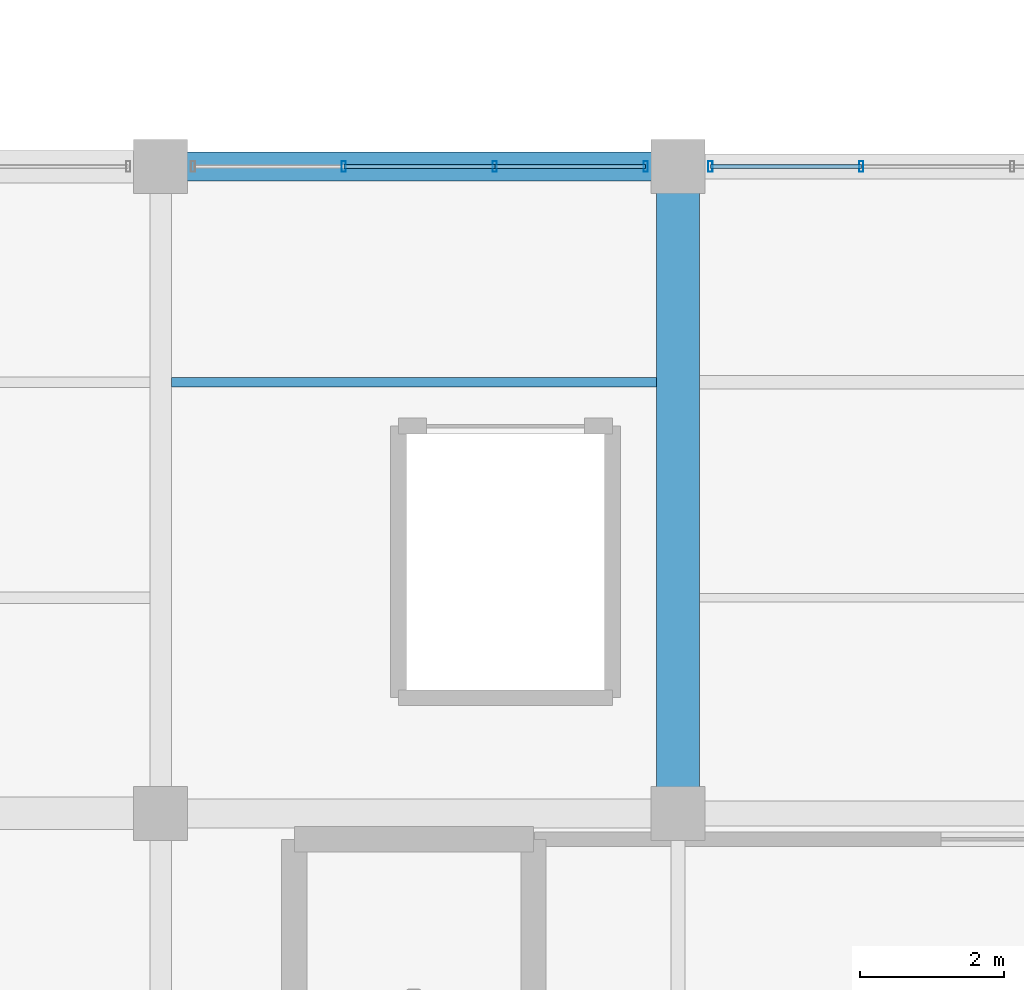
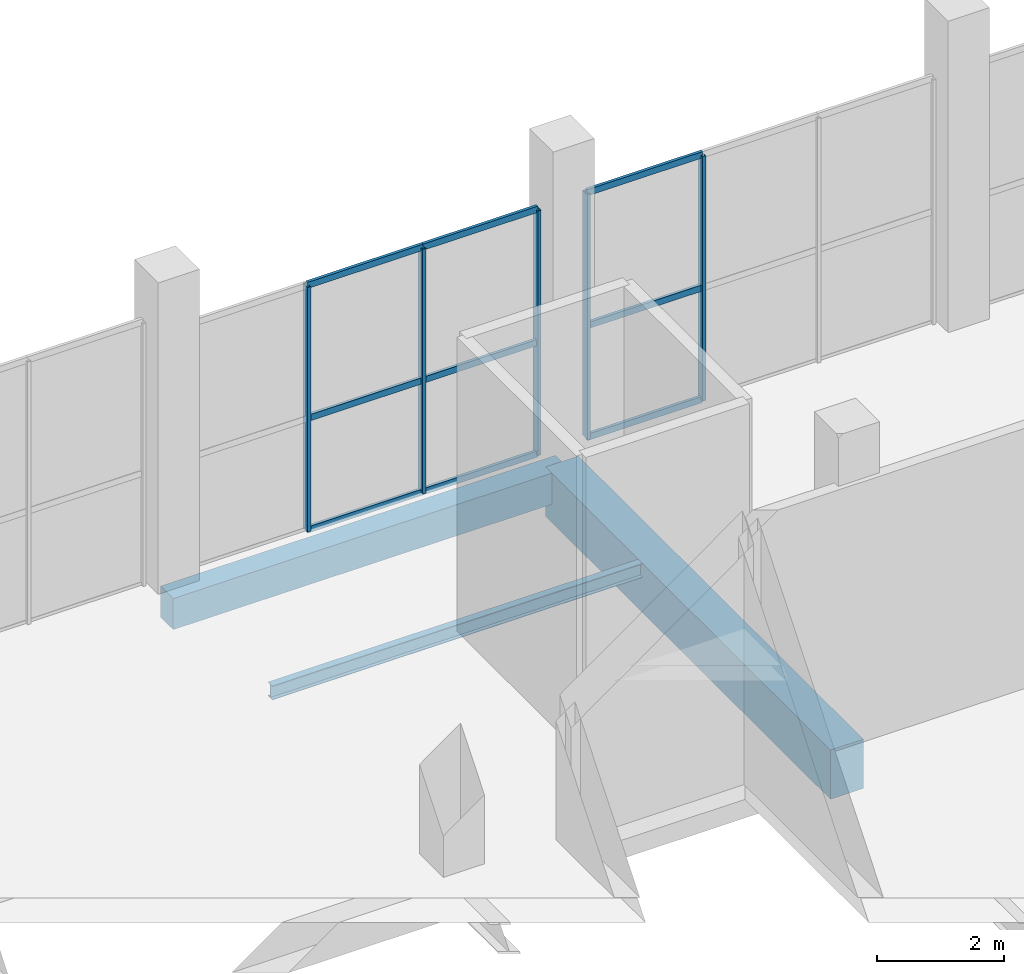
# One storey, part 102 of 144: 14 members, 3 beams, 2 elements without a shape of their own.
"""IFC4 building model written with IfcOpenShell, lengths in metres."""

from ifc_helpers import new_model, si_unit, direction, frame, origin, origin_2d, place, context, subcontext, project, spatial, rectangle, hollow_rectangle, i_section, extrude, material, layer, layer_set, material_profile, profile_set, type_object, element, aggregate, save


model = new_model("IFC4")

# Units and contexts
model_context = context("Model", 3, precision=1e-05, world=origin(), true_north=direction((0.0, 1.0)))
body_context = subcontext(model_context, "Body", "Model", "MODEL_VIEW")
ifc_project = project(units=[si_unit("LENGTHUNIT", "METRE"), si_unit("AREAUNIT", "SQUARE_METRE"), si_unit("VOLUMEUNIT", "CUBIC_METRE"), si_unit("PLANEANGLEUNIT", "RADIAN"), si_unit("MASSUNIT", "GRAM", prefix="KILO")], contexts=[model_context])

# Site, building, storey
site_placement = place(None, origin())
site = spatial("IfcSite", under=ifc_project, at=site_placement, CompositionType="ELEMENT")
building_placement = place(site_placement, origin())
building = spatial("IfcBuilding", under=site, at=building_placement, Name="Sundgate Opera House", CompositionType="ELEMENT")
storey_placement = place(building_placement, origin())
storey = spatial("IfcBuildingStorey", under=building, at=storey_placement, Name="L00", CompositionType="ELEMENT", Elevation=0.0)

# Beams
ifc_material_1 = material(Name="Steel S355J2", Category="steel")
ifc_material_profile_1 = material_profile(ifc_material_1, i_section(OverallWidth=0.135009765625, OverallDepth=0.27001953125, WebThickness=0.006591796875, FlangeThickness=0.01025390625, at=origin_2d()), Name="IPE 270")
ifc_profile_set_1 = profile_set([ifc_material_profile_1], Name="Steel S355J2")
beam_type_1 = type_object("IfcBeamType", Name="BM-JS-IPE270", PredefinedType="JOIST", material=ifc_profile_set_1)
beam_1_placement = place(storey_placement, frame((131.550048828125, 84.0, -0.455078125), z_axis=(1.0, 0.0, 0.0), x_axis=(0.0, 1.0, 0.0)))
element("IfcBeam", 1, at=beam_1_placement, inside=storey, type_object=beam_type_1, Name="L00 Secondary Floor Joist B0908", PredefinedType="JOIST", context=body_context, shape_type="SweptSolid", body=[
    extrude(i_section(OverallWidth=0.135009765625, OverallDepth=0.27001953125, WebThickness=0.006591796875, FlangeThickness=0.01025390625, at=origin_2d()), origin(), (0.0, 0.0, 1.0), 6.75),
])
ifc_material_2 = material(Name="Concrete C35/45", Category="concrete")
ifc_material_profile_2 = material_profile(ifc_material_2, rectangle(XDim=0.39990234375, YDim=0.60009765625, at=origin_2d()), Name="RC 400x600")
ifc_profile_set_2 = profile_set([ifc_material_profile_2], Name="Concrete C35/45")
beam_type_2 = type_object("IfcBeamType", Name="BM-RC-400x600", PredefinedType="BEAM", material=ifc_profile_set_2)
beam_2_placement = place(storey_placement, frame((131.39990234375, 87.0, -0.6201171875), z_axis=(1.0, 0.0, 0.0), x_axis=(0.0, 1.0, 0.0)))
element("IfcBeam", 2, at=beam_2_placement, inside=storey, type_object=beam_type_2, Name="L00 Primary E-W Girder B0518", PredefinedType="BEAM", context=body_context, shape_type="SweptSolid", body=[
    extrude(rectangle(XDim=0.39990234375, YDim=0.60009765625, at=origin_2d()), origin(), (0.0, 0.0, 1.0), 7.2001953125),
])
ifc_material_3 = material(Name="Concrete C40/50", Category="concrete")
ifc_material_profile_3 = material_profile(ifc_material_3, rectangle(XDim=0.60009765625, YDim=0.949951171875, at=origin_2d()), Name="RC 600x950")
ifc_profile_set_3 = profile_set([ifc_material_profile_3], Name="Concrete C40/50")
beam_type_3 = type_object("IfcBeamType", Name="BM-RC-600x950", PredefinedType="BEAM", material=ifc_profile_set_3)
beam_3_placement = place(storey_placement, frame((138.60009765625, 78.0, -0.794921875), z_axis=(0.0, 1.0, 0.0), x_axis=(-1.0, 0.0, 0.0)))
element("IfcBeam", 3, at=beam_3_placement, inside=storey, type_object=beam_type_3, Name="L00 Primary N-S Girder B0274", PredefinedType="BEAM", context=body_context, shape_type="SweptSolid", body=[
    extrude(rectangle(XDim=0.60009765625, YDim=0.949951171875, at=origin_2d()), origin(), (0.0, 0.0, 1.0), 9.0),
])

# Curtain wall, members
ifc_material_4 = material(Name="Anodized aluminium and low-iron glass", Category="aluminium")
ifc_layer = layer(ifc_material_4, 0.159912109375)
ifc_layer_set = layer_set([ifc_layer], Name="Anodized aluminium and low-iron glass")
curtain_wall_type = type_object("IfcCurtainWallType", Name="CW-STUDIO-DARK", PredefinedType="NOTDEFINED", material=ifc_layer_set)
curtain_wall_1_placement = place(storey_placement, origin())
curtain_wall_1 = element("IfcCurtainWall", 4, at=curtain_wall_1_placement, inside=storey, type_object=curtain_wall_type, Name="L00 Curtain Wall CW082", PredefinedType="NOTDEFINED")
ifc_material_5 = material(Name="Anodized aluminium EN AW-6063", Category="aluminium")
ifc_material_profile_4 = material_profile(ifc_material_5, hollow_rectangle(XDim=0.06005859375, YDim=0.14990234375, WallThickness=0.00390625, at=origin_2d()), Name="CWM 150x60x4")
ifc_profile_set_4 = profile_set([ifc_material_profile_4], Name="Anodized aluminium EN AW-6063")
member_type_1 = type_object("IfcMemberType", Name="CWM-ALU-150x60", PredefinedType="MULLION", material=ifc_profile_set_4)
member_1_placement = place(storey_placement, frame((133.949951171875, 87.0, 0.0), z_axis=(0.0, 0.0, 1.0), x_axis=(1.0, 0.0, 0.0)))
member_1 = element("IfcMember", 5, at=member_1_placement, type_object=member_type_1, Name="CW082 Mullion 2", PredefinedType="MULLION", context=body_context, shape_type="SweptSolid", body=[
    extrude(hollow_rectangle(XDim=0.06005859375, YDim=0.14990234375, WallThickness=0.00390625, at=origin_2d()), origin(), (0.0, 0.0, 1.0), 4.715087890625),
])
member_2_placement = place(storey_placement, frame((136.050048828125, 87.0, 0.0), z_axis=(0.0, 0.0, 1.0), x_axis=(1.0, 0.0, 0.0)))
member_2 = element("IfcMember", 6, at=member_2_placement, type_object=member_type_1, Name="CW082 Mullion 3", PredefinedType="MULLION", context=body_context, shape_type="SweptSolid", body=[
    extrude(hollow_rectangle(XDim=0.06005859375, YDim=0.14990234375, WallThickness=0.00390625, at=origin_2d()), origin(), (0.0, 0.0, 1.0), 4.715087890625),
])
member_3_placement = place(storey_placement, frame((138.14990234375, 87.0, 0.0), z_axis=(0.0, 0.0, 1.0), x_axis=(1.0, 0.0, 0.0)))
member_3 = element("IfcMember", 7, at=member_3_placement, type_object=member_type_1, Name="CW082 Mullion 4", PredefinedType="MULLION", context=body_context, shape_type="SweptSolid", body=[
    extrude(hollow_rectangle(XDim=0.06005859375, YDim=0.14990234375, WallThickness=0.00390625, at=origin_2d()), origin(), (0.0, 0.0, 1.0), 4.715087890625),
])

curtain_wall_2_placement = place(storey_placement, origin())
curtain_wall_2 = element("IfcCurtainWall", 8, at=curtain_wall_2_placement, inside=storey, type_object=curtain_wall_type, Name="L00 Curtain Wall CW084", PredefinedType="NOTDEFINED")
member_4_placement = place(storey_placement, frame((139.050048828125, 87.0, 0.0), z_axis=(0.0, 0.0, 1.0), x_axis=(1.0, 0.0, 0.0)))
member_4 = element("IfcMember", 9, at=member_4_placement, type_object=member_type_1, Name="CW084 Mullion 1", PredefinedType="MULLION", context=body_context, shape_type="SweptSolid", body=[
    extrude(hollow_rectangle(XDim=0.06005859375, YDim=0.14990234375, WallThickness=0.00390625, at=origin_2d()), origin(), (0.0, 0.0, 1.0), 4.715087890625),
])
member_5_placement = place(storey_placement, frame((141.14990234375, 87.0, 0.0), z_axis=(0.0, 0.0, 1.0), x_axis=(1.0, 0.0, 0.0)))
member_5 = element("IfcMember", 10, at=member_5_placement, type_object=member_type_1, Name="CW084 Mullion 2", PredefinedType="MULLION", context=body_context, shape_type="SweptSolid", body=[
    extrude(hollow_rectangle(XDim=0.06005859375, YDim=0.14990234375, WallThickness=0.00390625, at=origin_2d()), origin(), (0.0, 0.0, 1.0), 4.715087890625),
])

# Member
ifc_material_6 = material(Name="Anodized aluminium EN AW-6063", Category="aluminium")
ifc_material_profile_5 = material_profile(ifc_material_6, hollow_rectangle(XDim=0.054931640625, YDim=0.1201171875, WallThickness=0.00390625, at=origin_2d()), Name="CWT 120x55x4")
ifc_profile_set_5 = profile_set([ifc_material_profile_5], Name="Anodized aluminium EN AW-6063")
member_type_2 = type_object("IfcMemberType", Name="CWT-ALU-120x55", PredefinedType="USERDEFINED", material=ifc_profile_set_5)
member_6_placement = place(storey_placement, frame((133.949951171875, 87.0, 0.0), z_axis=(1.0, 0.0, 0.0), x_axis=(0.0, 1.0, 0.0)))
member_6 = element("IfcMember", 11, at=member_6_placement, type_object=member_type_2, Name="CW082 Transom 4", ObjectType="TRANSOM", PredefinedType="USERDEFINED", context=body_context, shape_type="SweptSolid", body=[
    extrude(hollow_rectangle(XDim=0.054931640625, YDim=0.1201171875, WallThickness=0.00390625, at=origin_2d()), origin(), (0.0, 0.0, 1.0), 2.10009765625),
])

member_7_placement = place(storey_placement, frame((133.949951171875, 87.0, 2.14990234375), z_axis=(1.0, 0.0, 0.0), x_axis=(0.0, 1.0, 0.0)))
member_7 = element("IfcMember", 12, at=member_7_placement, type_object=member_type_2, Name="CW082 Transom 5", ObjectType="TRANSOM", PredefinedType="USERDEFINED", context=body_context, shape_type="SweptSolid", body=[
    extrude(hollow_rectangle(XDim=0.054931640625, YDim=0.1201171875, WallThickness=0.00390625, at=origin_2d()), origin(), (0.0, 0.0, 1.0), 2.10009765625),
])

member_8_placement = place(storey_placement, frame((133.949951171875, 87.0, 4.715087890625), z_axis=(1.0, 0.0, 0.0), x_axis=(0.0, 1.0, 0.0)))
member_8 = element("IfcMember", 13, at=member_8_placement, type_object=member_type_2, Name="CW082 Transom 6", ObjectType="TRANSOM", PredefinedType="USERDEFINED", context=body_context, shape_type="SweptSolid", body=[
    extrude(hollow_rectangle(XDim=0.054931640625, YDim=0.1201171875, WallThickness=0.00390625, at=origin_2d()), origin(), (0.0, 0.0, 1.0), 2.10009765625),
])

member_9_placement = place(storey_placement, frame((136.050048828125, 87.0, 0.0), z_axis=(1.0, 0.0, 0.0), x_axis=(0.0, 1.0, 0.0)))
member_9 = element("IfcMember", 14, at=member_9_placement, type_object=member_type_2, Name="CW082 Transom 7", ObjectType="TRANSOM", PredefinedType="USERDEFINED", context=body_context, shape_type="SweptSolid", body=[
    extrude(hollow_rectangle(XDim=0.054931640625, YDim=0.1201171875, WallThickness=0.00390625, at=origin_2d()), origin(), (0.0, 0.0, 1.0), 2.099853515625),
])

member_10_placement = place(storey_placement, frame((136.050048828125, 87.0, 2.14990234375), z_axis=(1.0, 0.0, 0.0), x_axis=(0.0, 1.0, 0.0)))
member_10 = element("IfcMember", 15, at=member_10_placement, type_object=member_type_2, Name="CW082 Transom 8", ObjectType="TRANSOM", PredefinedType="USERDEFINED", context=body_context, shape_type="SweptSolid", body=[
    extrude(hollow_rectangle(XDim=0.054931640625, YDim=0.1201171875, WallThickness=0.00390625, at=origin_2d()), origin(), (0.0, 0.0, 1.0), 2.099853515625),
])

member_11_placement = place(storey_placement, frame((136.050048828125, 87.0, 4.715087890625), z_axis=(1.0, 0.0, 0.0), x_axis=(0.0, 1.0, 0.0)))
member_11 = element("IfcMember", 16, at=member_11_placement, type_object=member_type_2, Name="CW082 Transom 9", ObjectType="TRANSOM", PredefinedType="USERDEFINED", context=body_context, shape_type="SweptSolid", body=[
    extrude(hollow_rectangle(XDim=0.054931640625, YDim=0.1201171875, WallThickness=0.00390625, at=origin_2d()), origin(), (0.0, 0.0, 1.0), 2.099853515625),
])

aggregate(curtain_wall_1, [member_1, member_2, member_3, member_6, member_7, member_8, member_9, member_10, member_11])

member_12_placement = place(storey_placement, frame((139.050048828125, 87.0, 0.0), z_axis=(1.0, 0.0, 0.0), x_axis=(0.0, 1.0, 0.0)))
member_12 = element("IfcMember", 17, at=member_12_placement, type_object=member_type_2, Name="CW084 Transom 1", ObjectType="TRANSOM", PredefinedType="USERDEFINED", context=body_context, shape_type="SweptSolid", body=[
    extrude(hollow_rectangle(XDim=0.054931640625, YDim=0.1201171875, WallThickness=0.00390625, at=origin_2d()), origin(), (0.0, 0.0, 1.0), 2.099853515625),
])

member_13_placement = place(storey_placement, frame((139.050048828125, 87.0, 2.14990234375), z_axis=(1.0, 0.0, 0.0), x_axis=(0.0, 1.0, 0.0)))
member_13 = element("IfcMember", 18, at=member_13_placement, type_object=member_type_2, Name="CW084 Transom 2", ObjectType="TRANSOM", PredefinedType="USERDEFINED", context=body_context, shape_type="SweptSolid", body=[
    extrude(hollow_rectangle(XDim=0.054931640625, YDim=0.1201171875, WallThickness=0.00390625, at=origin_2d()), origin(), (0.0, 0.0, 1.0), 2.099853515625),
])

member_14_placement = place(storey_placement, frame((139.050048828125, 87.0, 4.715087890625), z_axis=(1.0, 0.0, 0.0), x_axis=(0.0, 1.0, 0.0)))
member_14 = element("IfcMember", 19, at=member_14_placement, type_object=member_type_2, Name="CW084 Transom 3", ObjectType="TRANSOM", PredefinedType="USERDEFINED", context=body_context, shape_type="SweptSolid", body=[
    extrude(hollow_rectangle(XDim=0.054931640625, YDim=0.1201171875, WallThickness=0.00390625, at=origin_2d()), origin(), (0.0, 0.0, 1.0), 2.099853515625),
])

aggregate(curtain_wall_2, [member_4, member_5, member_12, member_13, member_14])

save(model, "model.ifc")
